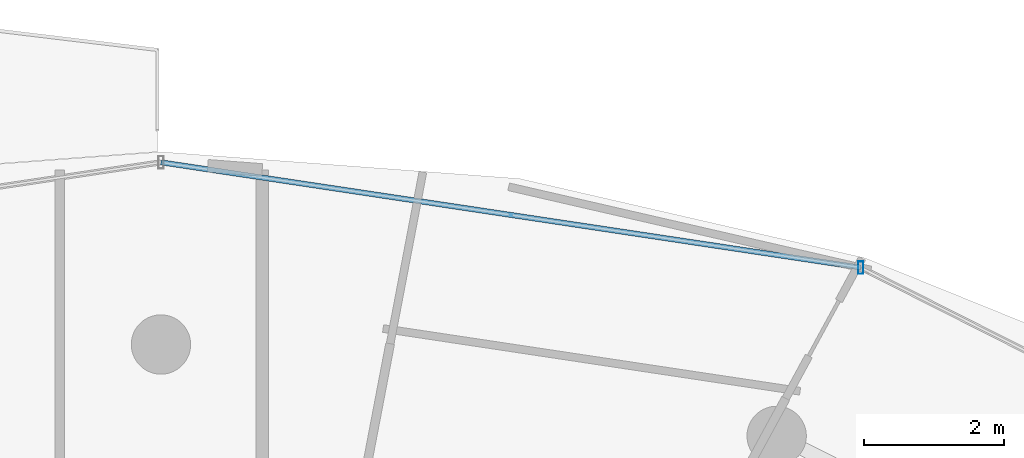
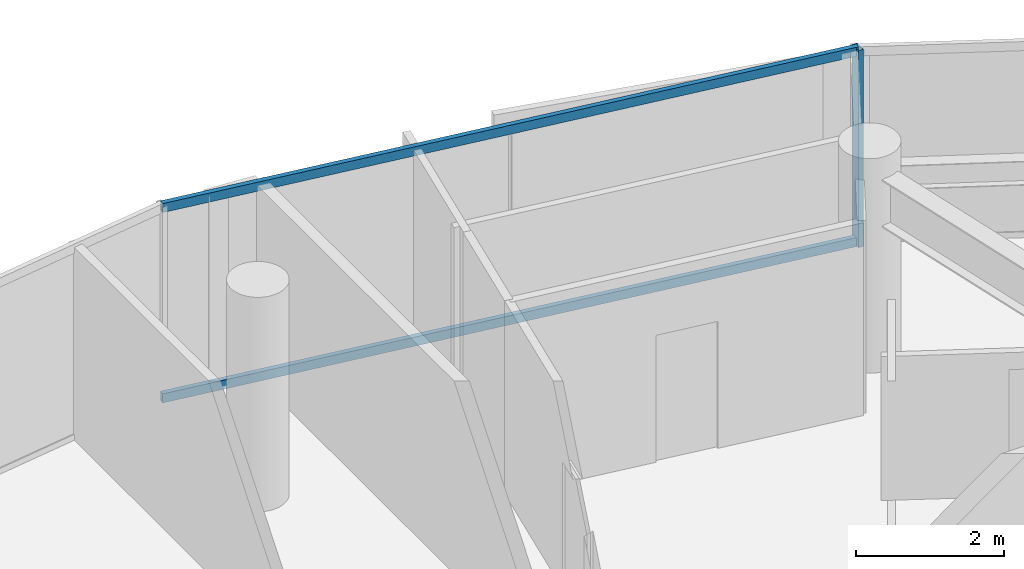
# One storey, part 14 of 25: 3 members, 1 element without a shape of its own.
"""IFC4 building model written with IfcOpenShell, lengths in metres."""

from ifc_helpers import new_model, si_unit, direction, frame, origin, origin_2d, place, context, subcontext, project, spatial, hollow_rectangle, extrude, material, material_profile, profile_set, type_object, element, aggregate, save


model = new_model("IFC4")

# Units and contexts
model_context = context("Model", 3, precision=1e-05, world=origin(), true_north=direction((0.0, 1.0)))
body_context = subcontext(model_context, "Body", "Model", "MODEL_VIEW")
ifc_project = project(units=[si_unit("LENGTHUNIT", "METRE"), si_unit("AREAUNIT", "SQUARE_METRE"), si_unit("VOLUMEUNIT", "CUBIC_METRE"), si_unit("PLANEANGLEUNIT", "RADIAN"), si_unit("MASSUNIT", "GRAM", prefix="KILO")], contexts=[model_context])

# Site, building, storey
site_placement = place(None, origin())
site = spatial("IfcSite", under=ifc_project, at=site_placement, CompositionType="ELEMENT")
building_placement = place(site_placement, origin())
building = spatial("IfcBuilding", under=site, at=building_placement, Name="Vorneva Point Tower", CompositionType="ELEMENT")
storey_placement = place(building_placement, frame((0.0, 0.0, 276.85009765625)))
storey = spatial("IfcBuildingStorey", under=building, at=storey_placement, Name="L75", CompositionType="ELEMENT", Elevation=276.85009765625)

# Curtain wall, members
ifc_material = material(Name="Pale anodised aluminium", Category="aluminium")
curtain_wall_type = type_object("IfcCurtainWallType", Name="CW-RES-SYS", PredefinedType="NOTDEFINED", material=ifc_material)
curtain_wall_placement = place(storey_placement, origin())
curtain_wall = element("IfcCurtainWall", 1, at=curtain_wall_placement, inside=storey, type_object=curtain_wall_type, Name="L75 Unitised Curtain Wall CW-L75-R02", PredefinedType="NOTDEFINED")
ifc_material_profile_1 = material_profile(ifc_material, hollow_rectangle(XDim=0.074951171875, YDim=0.179931640625, WallThickness=0.00390625, at=origin_2d()), Name="AL-MUL 180x75x4")
ifc_profile_set_1 = profile_set([ifc_material_profile_1], Name="Pale anodised aluminium")
member_type_1 = type_object("IfcMemberType", Name="CW-MUL-180", PredefinedType="MULLION", material=ifc_profile_set_1)
member_1_placement = place(storey_placement, frame((48.0263671875, 44.302001953125, -0.0400390625), z_axis=(0.0, 0.0, 1.0), x_axis=(1.0, 0.0, 0.0)))
member_1 = element("IfcMember", 2, at=member_1_placement, type_object=member_type_1, Name="CW-L75-R02 Mullion 02", PredefinedType="MULLION", context=body_context, shape_type="SweptSolid", body=[
    extrude(hollow_rectangle(XDim=0.074951171875, YDim=0.179931640625, WallThickness=0.00390625, at=origin_2d()), origin(), (0.0, 0.0, 1.0), 3.260009765625),
])
ifc_material_profile_2 = material_profile(ifc_material, hollow_rectangle(XDim=0.074951171875, YDim=0.14990234375, WallThickness=0.00390625, at=origin_2d()), Name="AL-TRN 150x75x4")
ifc_profile_set_2 = profile_set([ifc_material_profile_2], Name="Pale anodised aluminium")
member_type_2 = type_object("IfcMemberType", Name="CW-TRN-150", PredefinedType="USERDEFINED", material=ifc_profile_set_2)
member_2_placement = place(storey_placement, frame((48.0263671875, 44.302001953125, 0.02001953125), z_axis=(-0.988876929856, 0.148736066907, 0.0), x_axis=(-0.148736066907, -0.988876929856, 0.0)))
member_2 = element("IfcMember", 3, at=member_2_placement, type_object=member_type_2, Name="CW-L75-R02 Transom 02.1", ObjectType="TRANSOM", PredefinedType="USERDEFINED", context=body_context, shape_type="SweptSolid", body=[
    extrude(hollow_rectangle(XDim=0.074951171875, YDim=0.14990234375, WallThickness=0.00390625, at=origin_2d()), origin(), (0.0, 0.0, 1.0), 10.13916015625),
])
member_3_placement = place(storey_placement, frame((48.0263671875, 44.302001953125, 3.169921875), z_axis=(-0.988876929856, 0.148736066907, 0.0), x_axis=(-0.148736066907, -0.988876929856, 0.0)))
member_3 = element("IfcMember", 4, at=member_3_placement, type_object=member_type_2, Name="CW-L75-R02 Transom 02.2", ObjectType="TRANSOM", PredefinedType="USERDEFINED", context=body_context, shape_type="SweptSolid", body=[
    extrude(hollow_rectangle(XDim=0.074951171875, YDim=0.14990234375, WallThickness=0.00390625, at=origin_2d()), origin(), (0.0, 0.0, 1.0), 10.13916015625),
])
aggregate(curtain_wall, [member_1, member_2, member_3])

save(model, "model.ifc")
